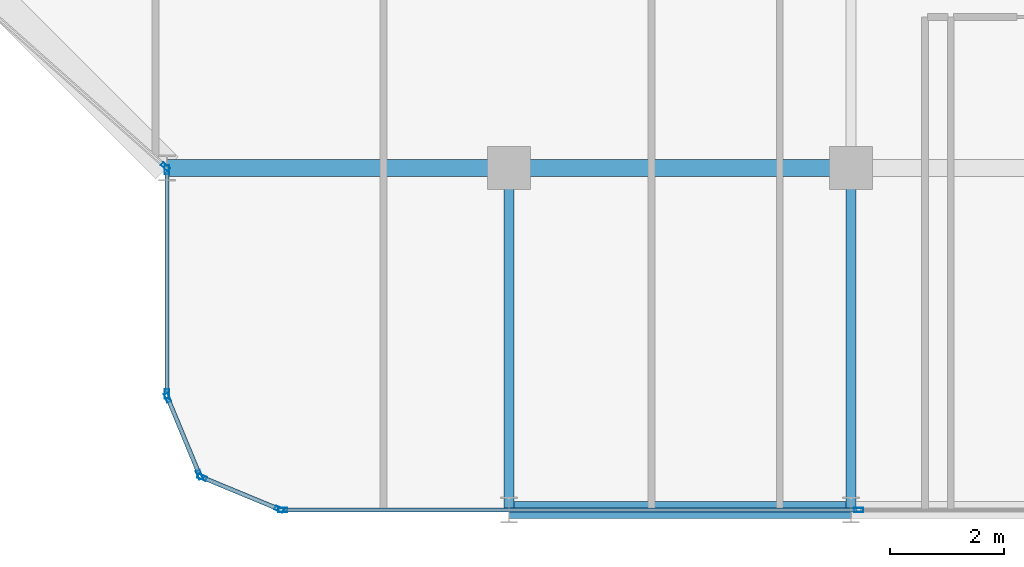
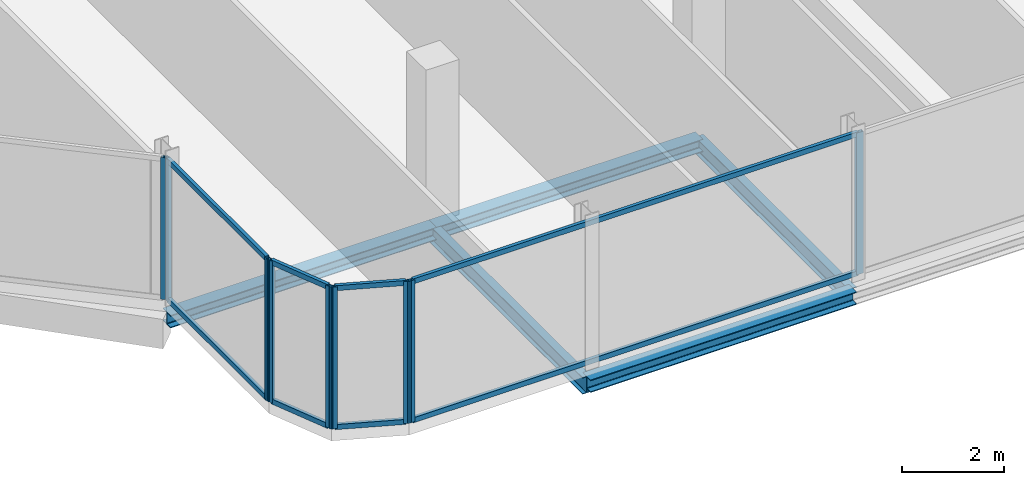
# One storey, part 6 of 29: 17 members, 5 beams, 5 elements without a shape of their own.
"""IFC4 building model written with IfcOpenShell, lengths in metres."""

from ifc_helpers import new_model, si_unit, direction, frame, origin, origin_2d, place, context, subcontext, project, spatial, hollow_rectangle, i_section, extrude, material, layer, layer_set, material_profile, profile_set, type_object, element, aggregate, save


model = new_model("IFC4")

# Units and contexts
model_context = context("Model", 3, precision=1e-05, world=origin(), true_north=direction((0.0, 1.0)))
body_context = subcontext(model_context, "Body", "Model", "MODEL_VIEW")
ifc_project = project(units=[si_unit("LENGTHUNIT", "METRE"), si_unit("AREAUNIT", "SQUARE_METRE"), si_unit("VOLUMEUNIT", "CUBIC_METRE"), si_unit("PLANEANGLEUNIT", "RADIAN"), si_unit("MASSUNIT", "GRAM", prefix="KILO")], contexts=[model_context])

# Site, building, storey
site_placement = place(None, origin())
site = spatial("IfcSite", under=ifc_project, at=site_placement, CompositionType="ELEMENT")
building_placement = place(site_placement, origin())
building = spatial("IfcBuilding", under=site, at=building_placement, Name="Keshet Zoharim Tower", CompositionType="ELEMENT")
storey_placement = place(building_placement, frame((0.0, 0.0, 214.300048828125)))
storey = spatial("IfcBuildingStorey", under=building, at=storey_placement, Name="L53", CompositionType="ELEMENT", Elevation=214.300048828125)

# Beams
ifc_material_1 = material(Name="Steel S355", Category="steel")
ifc_material_profile_1 = material_profile(ifc_material_1, i_section(OverallWidth=0.300048828125, OverallDepth=0.300048828125, WebThickness=0.010986328125, FlangeThickness=0.01904296875, FilletRadius=0.027099609375, at=origin_2d()), Name="HEB300")
ifc_profile_set_1 = profile_set([ifc_material_profile_1], Name="Steel S355")
beam_type_1 = type_object("IfcBeamType", Name="BM-PRI-HB300", PredefinedType="BEAM", material=ifc_profile_set_1)
for number, where, z_axis, x_axis, name in (
    (1, (27.0, 0.699951171875, -0.4599609375), (1.0, 0.0, 0.0), (0.0, 1.0, 0.0), "L53 Primary Girder X-001"),
    (2, (21.0, 6.699951171875, -0.4599609375), (1.0, 0.0, 0.0), (0.0, 1.0, 0.0), "L53 Primary Girder X-005"),
    (3, (27.0, 6.699951171875, -0.4599609375), (1.0, 0.0, 0.0), (0.0, 1.0, 0.0), "L53 Primary Girder X-006"),
):
    element("IfcBeam", number, at=place(storey_placement, frame(where, z_axis=z_axis, x_axis=x_axis)), inside=storey, type_object=beam_type_1, Name=name, PredefinedType="BEAM", context=body_context, shape_type="SweptSolid", body=[
        extrude(i_section(OverallWidth=0.300048828125, OverallDepth=0.300048828125, WebThickness=0.010986328125, FlangeThickness=0.01904296875, FilletRadius=0.027099609375, at=origin_2d()), origin(), (0.0, 0.0, 1.0), 6.0),
    ])
ifc_material_profile_2 = material_profile(ifc_material_1, i_section(OverallWidth=0.179931640625, OverallDepth=0.39990234375, WebThickness=0.008544921875, FlangeThickness=0.013427734375, FilletRadius=0.02099609375, at=origin_2d()), Name="IPE400")
ifc_profile_set_2 = profile_set([ifc_material_profile_2], Name="Steel S355")
beam_type_2 = type_object("IfcBeamType", Name="BM-PRI-IP400", PredefinedType="BEAM", material=ifc_profile_set_2)
for number, where, z_axis, x_axis, name in (
    (4, (27.0, 0.699951171875, -0.510009765625), (0.0, 1.0, 0.0), (-1.0, 0.0, 0.0), "L53 Primary Girder Y-004"),
    (5, (33.0, 0.699951171875, -0.510009765625), (0.0, 1.0, 0.0), (-1.0, 0.0, 0.0), "L53 Primary Girder Y-005"),
):
    element("IfcBeam", number, at=place(storey_placement, frame(where, z_axis=z_axis, x_axis=x_axis)), inside=storey, type_object=beam_type_2, Name=name, PredefinedType="BEAM", context=body_context, shape_type="SweptSolid", body=[
        extrude(i_section(OverallWidth=0.179931640625, OverallDepth=0.39990234375, WebThickness=0.008544921875, FlangeThickness=0.013427734375, FilletRadius=0.02099609375, at=origin_2d()), origin(), (0.0, 0.0, 1.0), 6.0),
    ])

# Curtain wall, members
ifc_material_2 = material(Name="Aluminium 6063-T6", Category="aluminium")
ifc_layer = layer(ifc_material_2, 0.139892578125)
ifc_layer_set = layer_set([ifc_layer], Name="Aluminium 6063-T6")
curtain_wall_type = type_object("IfcCurtainWallType", Name="CW-SYS-05", PredefinedType="NOTDEFINED", material=ifc_layer_set)
curtain_wall_1_placement = place(storey_placement, origin())
curtain_wall_1 = element("IfcCurtainWall", 6, at=curtain_wall_1_placement, inside=storey, type_object=curtain_wall_type, Name="L53 Unitised Curtain Wall 06 Part 3", PredefinedType="NOTDEFINED")
ifc_material_profile_3 = material_profile(ifc_material_2, hollow_rectangle(XDim=0.074951171875, YDim=0.159912109375, WallThickness=0.00390625, at=origin_2d()), Name="MUL-75x160")
ifc_profile_set_3 = profile_set([ifc_material_profile_3], Name="Aluminium 6063-T6")
member_type_1 = type_object("IfcMemberType", Name="CWM-M15", PredefinedType="MULLION", material=ifc_profile_set_3)
member_1_placement = place(storey_placement, frame((33.1376953125, 0.699951171875, 0.0), z_axis=(0.0, 0.0, 1.0), x_axis=(0.0, -1.0, 0.0)))
member_1 = element("IfcMember", 7, at=member_1_placement, type_object=member_type_1, Name="CW-05 mullion 2", PredefinedType="MULLION", context=body_context, shape_type="SweptSolid", body=[
    extrude(hollow_rectangle(XDim=0.074951171875, YDim=0.159912109375, WallThickness=0.00390625, at=origin_2d()), origin(), (0.0, 0.0, 1.0), 3.3798828125),
])
member_2_placement = place(storey_placement, frame((23.034912109375, 0.699951171875, 0.0), z_axis=(0.0, 0.0, 1.0), x_axis=(0.0, -1.0, 0.0)))
member_2 = element("IfcMember", 8, at=member_2_placement, type_object=member_type_1, Name="CW-05 mullion 3", PredefinedType="MULLION", context=body_context, shape_type="SweptSolid", body=[
    extrude(hollow_rectangle(XDim=0.074951171875, YDim=0.159912109375, WallThickness=0.00390625, at=origin_2d()), origin(), (0.0, 0.0, 1.0), 3.3798828125),
])

curtain_wall_2_placement = place(storey_placement, origin())
curtain_wall_2 = element("IfcCurtainWall", 9, at=curtain_wall_2_placement, inside=storey, type_object=curtain_wall_type, Name="L53 Unitised Curtain Wall 07", PredefinedType="NOTDEFINED")
member_3_placement = place(storey_placement, frame((22.9677734375, 0.71337890625, 0.0), z_axis=(0.0, 0.0, 1.0), x_axis=(-0.382851849847, -0.92380975372, 0.0)))
member_3 = element("IfcMember", 10, at=member_3_placement, type_object=member_type_1, Name="CW-05 mullion 1", PredefinedType="MULLION", context=body_context, shape_type="SweptSolid", body=[
    extrude(hollow_rectangle(XDim=0.074951171875, YDim=0.159912109375, WallThickness=0.00390625, at=origin_2d()), origin(), (0.0, 0.0, 1.0), 3.3798828125),
])
member_4_placement = place(storey_placement, frame((21.618408203125, 1.272705078125, 0.0), z_axis=(0.0, 0.0, 1.0), x_axis=(-0.382851849847, -0.92380975372, 0.0)))
member_4 = element("IfcMember", 11, at=member_4_placement, type_object=member_type_1, Name="CW-05 mullion 2", PredefinedType="MULLION", context=body_context, shape_type="SweptSolid", body=[
    extrude(hollow_rectangle(XDim=0.074951171875, YDim=0.159912109375, WallThickness=0.00390625, at=origin_2d()), origin(), (0.0, 0.0, 1.0), 3.3798828125),
])

curtain_wall_3_placement = place(storey_placement, origin())
curtain_wall_3 = element("IfcCurtainWall", 12, at=curtain_wall_3_placement, inside=storey, type_object=curtain_wall_type, Name="L53 Unitised Curtain Wall 08", PredefinedType="NOTDEFINED")
member_5_placement = place(storey_placement, frame((21.572509765625, 1.318359375, 0.0), z_axis=(0.0, 0.0, 1.0), x_axis=(-0.92380975372, -0.382851849847, 0.0)))
member_5 = element("IfcMember", 13, at=member_5_placement, type_object=member_type_1, Name="CW-05 mullion 1", PredefinedType="MULLION", context=body_context, shape_type="SweptSolid", body=[
    extrude(hollow_rectangle(XDim=0.074951171875, YDim=0.159912109375, WallThickness=0.00390625, at=origin_2d()), origin(), (0.0, 0.0, 1.0), 3.3798828125),
])
member_6_placement = place(storey_placement, frame((21.013427734375, 2.667724609375, 0.0), z_axis=(0.0, 0.0, 1.0), x_axis=(-0.92380975372, -0.382851849847, 0.0)))
member_6 = element("IfcMember", 14, at=member_6_placement, type_object=member_type_1, Name="CW-05 mullion 2", PredefinedType="MULLION", context=body_context, shape_type="SweptSolid", body=[
    extrude(hollow_rectangle(XDim=0.074951171875, YDim=0.159912109375, WallThickness=0.00390625, at=origin_2d()), origin(), (0.0, 0.0, 1.0), 3.3798828125),
])

curtain_wall_4_placement = place(storey_placement, origin())
curtain_wall_4 = element("IfcCurtainWall", 15, at=curtain_wall_4_placement, inside=storey, type_object=curtain_wall_type, Name="L53 Unitised Curtain Wall 09", PredefinedType="NOTDEFINED")
member_7_placement = place(storey_placement, frame((21.0, 2.735107421875, 0.0), z_axis=(0.0, 0.0, 1.0), x_axis=(-1.0, 0.0, 0.0)))
member_7 = element("IfcMember", 16, at=member_7_placement, type_object=member_type_1, Name="CW-05 mullion 1", PredefinedType="MULLION", context=body_context, shape_type="SweptSolid", body=[
    extrude(hollow_rectangle(XDim=0.074951171875, YDim=0.159912109375, WallThickness=0.00390625, at=origin_2d()), origin(), (0.0, 0.0, 1.0), 3.3798828125),
])
member_8_placement = place(storey_placement, frame((21.0, 6.6650390625, 0.0), z_axis=(0.0, 0.0, 1.0), x_axis=(-1.0, 0.0, 0.0)))
member_8 = element("IfcMember", 17, at=member_8_placement, type_object=member_type_1, Name="CW-05 mullion 2", PredefinedType="MULLION", context=body_context, shape_type="SweptSolid", body=[
    extrude(hollow_rectangle(XDim=0.074951171875, YDim=0.159912109375, WallThickness=0.00390625, at=origin_2d()), origin(), (0.0, 0.0, 1.0), 3.3798828125),
])

# Curtain wall, member
curtain_wall_5_placement = place(storey_placement, origin())
curtain_wall_5 = element("IfcCurtainWall", 18, at=curtain_wall_5_placement, inside=storey, type_object=curtain_wall_type, Name="L53 Unitised Curtain Wall 10", PredefinedType="NOTDEFINED")
member_9_placement = place(storey_placement, frame((20.973876953125, 6.72314453125, 0.0), z_axis=(0.0, 0.0, 1.0), x_axis=(-0.664363838836, -0.747409318679, 0.0)))
member_9 = element("IfcMember", 19, at=member_9_placement, type_object=member_type_1, Name="CW-05 mullion 1", PredefinedType="MULLION", context=body_context, shape_type="SweptSolid", body=[
    extrude(hollow_rectangle(XDim=0.074951171875, YDim=0.159912109375, WallThickness=0.00390625, at=origin_2d()), origin(), (0.0, 0.0, 1.0), 3.3798828125),
])
aggregate(curtain_wall_5, [member_9])

# Member
ifc_material_profile_4 = material_profile(ifc_material_2, hollow_rectangle(XDim=0.074951171875, YDim=0.1201171875, WallThickness=0.00390625, at=origin_2d()), Name="TRN-75x120")
ifc_profile_set_4 = profile_set([ifc_material_profile_4], Name="Aluminium 6063-T6")
member_type_2 = type_object("IfcMemberType", Name="CWT-T12", PredefinedType="USERDEFINED", material=ifc_profile_set_4)
member_10_placement = place(storey_placement, frame((33.1025390625, 0.699951171875, 0.034912109375), z_axis=(-1.0, 0.0, 0.0), x_axis=(0.0, -1.0, 0.0)))
member_10 = element("IfcMember", 20, at=member_10_placement, type_object=member_type_2, Name="CW-05 transom 2.1", ObjectType="TRANSOM", PredefinedType="USERDEFINED", context=body_context, shape_type="SweptSolid", body=[
    extrude(hollow_rectangle(XDim=0.074951171875, YDim=0.1201171875, WallThickness=0.00390625, at=origin_2d()), origin(), (0.0, 0.0, 1.0), 10.032470703125),
])

member_11_placement = place(storey_placement, frame((33.1025390625, 0.699951171875, 3.344970703125), z_axis=(-1.0, 0.0, 0.0), x_axis=(0.0, -1.0, 0.0)))
member_11 = element("IfcMember", 21, at=member_11_placement, type_object=member_type_2, Name="CW-05 transom 2.2", ObjectType="TRANSOM", PredefinedType="USERDEFINED", context=body_context, shape_type="SweptSolid", body=[
    extrude(hollow_rectangle(XDim=0.074951171875, YDim=0.1201171875, WallThickness=0.00390625, at=origin_2d()), origin(), (0.0, 0.0, 1.0), 10.032470703125),
])

aggregate(curtain_wall_1, [member_1, member_2, member_10, member_11])

member_12_placement = place(storey_placement, frame((22.935302734375, 0.726806640625, 0.034912109375), z_axis=(-0.92379209995, 0.382894445076, 0.0), x_axis=(-0.382894445076, -0.92379209995, 0.0)))
member_12 = element("IfcMember", 22, at=member_12_placement, type_object=member_type_2, Name="CW-05 transom 1.1", ObjectType="TRANSOM", PredefinedType="USERDEFINED", context=body_context, shape_type="SweptSolid", body=[
    extrude(hollow_rectangle(XDim=0.074951171875, YDim=0.1201171875, WallThickness=0.00390625, at=origin_2d()), origin(), (0.0, 0.0, 1.0), 1.390625),
])

member_13_placement = place(storey_placement, frame((22.935302734375, 0.726806640625, 3.344970703125), z_axis=(-0.92379209995, 0.382894445076, 0.0), x_axis=(-0.382894445076, -0.92379209995, 0.0)))
member_13 = element("IfcMember", 23, at=member_13_placement, type_object=member_type_2, Name="CW-05 transom 1.2", ObjectType="TRANSOM", PredefinedType="USERDEFINED", context=body_context, shape_type="SweptSolid", body=[
    extrude(hollow_rectangle(XDim=0.074951171875, YDim=0.1201171875, WallThickness=0.00390625, at=origin_2d()), origin(), (0.0, 0.0, 1.0), 1.390625),
])

aggregate(curtain_wall_2, [member_3, member_4, member_12, member_13])

member_14_placement = place(storey_placement, frame((21.55908203125, 1.3505859375, 0.034912109375), z_axis=(-0.382744609247, 0.923854189844, 0.0), x_axis=(-0.923854189844, -0.382744609247, 0.0)))
member_14 = element("IfcMember", 24, at=member_14_placement, type_object=member_type_2, Name="CW-05 transom 1.1", ObjectType="TRANSOM", PredefinedType="USERDEFINED", context=body_context, shape_type="SweptSolid", body=[
    extrude(hollow_rectangle(XDim=0.074951171875, YDim=0.1201171875, WallThickness=0.00390625, at=origin_2d()), origin(), (0.0, 0.0, 1.0), 1.390625),
])

member_15_placement = place(storey_placement, frame((21.55908203125, 1.3505859375, 3.344970703125), z_axis=(-0.382744609247, 0.923854189844, 0.0), x_axis=(-0.923854189844, -0.382744609247, 0.0)))
member_15 = element("IfcMember", 25, at=member_15_placement, type_object=member_type_2, Name="CW-05 transom 1.2", ObjectType="TRANSOM", PredefinedType="USERDEFINED", context=body_context, shape_type="SweptSolid", body=[
    extrude(hollow_rectangle(XDim=0.074951171875, YDim=0.1201171875, WallThickness=0.00390625, at=origin_2d()), origin(), (0.0, 0.0, 1.0), 1.390625),
])

aggregate(curtain_wall_3, [member_5, member_6, member_14, member_15])

member_16_placement = place(storey_placement, frame((21.0, 2.77001953125, 0.034912109375), z_axis=(0.0, 1.0, 0.0), x_axis=(-1.0, 0.0, 0.0)))
member_16 = element("IfcMember", 26, at=member_16_placement, type_object=member_type_2, Name="CW-05 transom 1.1", ObjectType="TRANSOM", PredefinedType="USERDEFINED", context=body_context, shape_type="SweptSolid", body=[
    extrude(hollow_rectangle(XDim=0.074951171875, YDim=0.1201171875, WallThickness=0.00390625, at=origin_2d()), origin(), (0.0, 0.0, 1.0), 3.85986328125),
])

member_17_placement = place(storey_placement, frame((21.0, 2.77001953125, 3.344970703125), z_axis=(0.0, 1.0, 0.0), x_axis=(-1.0, 0.0, 0.0)))
member_17 = element("IfcMember", 27, at=member_17_placement, type_object=member_type_2, Name="CW-05 transom 1.2", ObjectType="TRANSOM", PredefinedType="USERDEFINED", context=body_context, shape_type="SweptSolid", body=[
    extrude(hollow_rectangle(XDim=0.074951171875, YDim=0.1201171875, WallThickness=0.00390625, at=origin_2d()), origin(), (0.0, 0.0, 1.0), 3.85986328125),
])

aggregate(curtain_wall_4, [member_7, member_8, member_16, member_17])

save(model, "model.ifc")
